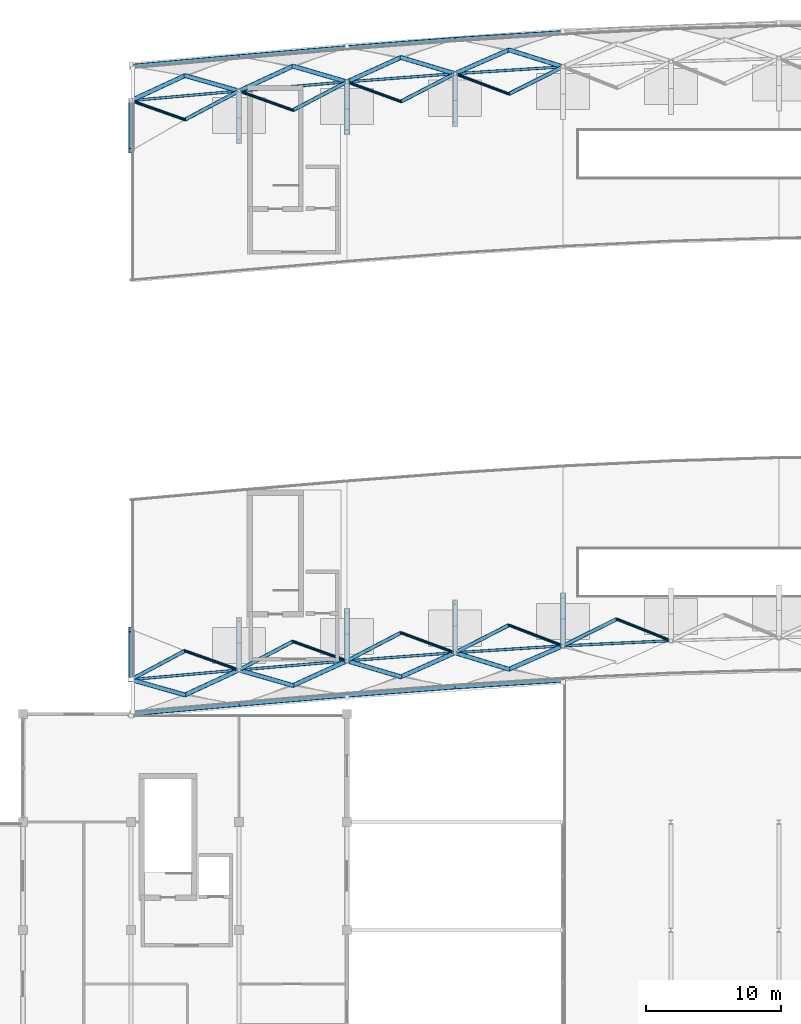
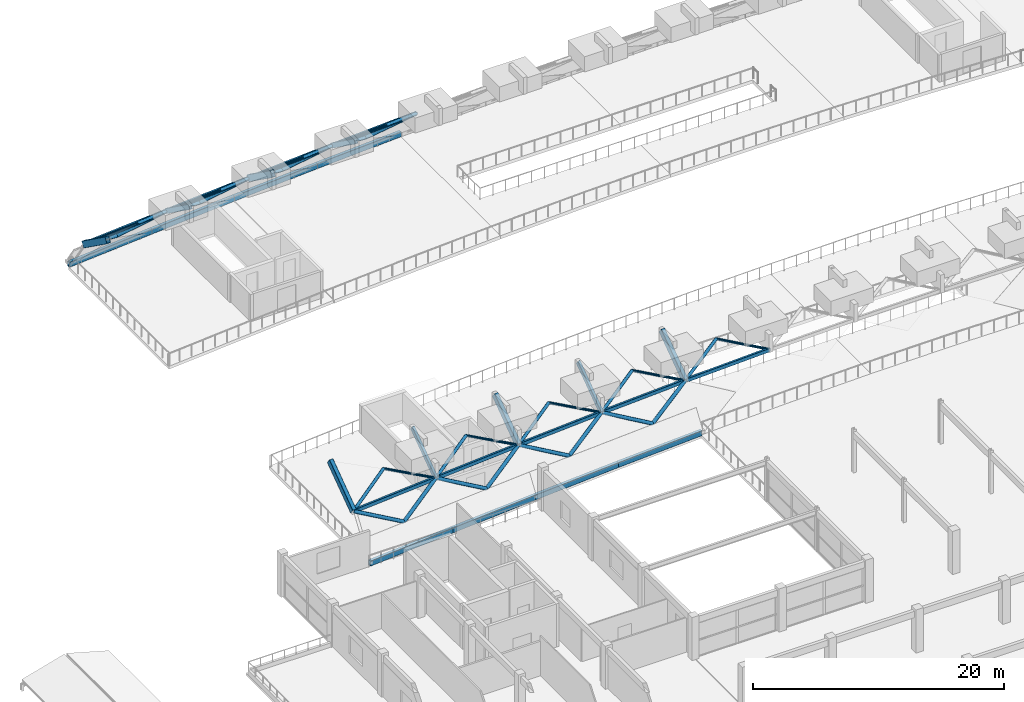
# One storey, part 17 of 67: 34 members, 26 beams.
"""IFC4 building model written with IfcOpenShell, lengths in metres."""

from ifc_helpers import new_model, si_unit, direction, frame, origin, origin_2d, place, context, subcontext, project, spatial, hollow_rectangle, hollow_circle, extrude, material, material_profile, profile_set, type_object, element, save


model = new_model("IFC4")

# Units and contexts
model_context = context("Model", 3, precision=1e-05, world=origin(), true_north=direction((0.0, 1.0)))
body_context = subcontext(model_context, "Body", "Model", "MODEL_VIEW")
ifc_project = project(units=[si_unit("LENGTHUNIT", "METRE"), si_unit("AREAUNIT", "SQUARE_METRE"), si_unit("VOLUMEUNIT", "CUBIC_METRE"), si_unit("PLANEANGLEUNIT", "RADIAN"), si_unit("MASSUNIT", "GRAM", prefix="KILO")], contexts=[model_context])

# Site, building, storey
site_placement = place(None, origin())
site = spatial("IfcSite", under=ifc_project, at=site_placement, CompositionType="ELEMENT")
building_placement = place(site_placement, origin())
building = spatial("IfcBuilding", under=site, at=building_placement, Name="Kenh Van Central Station", CompositionType="ELEMENT")
storey_placement = place(building_placement, frame((0.0, 0.0, 10.800048828125)))
storey = spatial("IfcBuildingStorey", under=building, at=storey_placement, Name="L02", CompositionType="ELEMENT", Elevation=10.800048828125)

# Beams
ifc_material = material(Name="White fluoropolymer structural steel S355", Category="steel")
ifc_material_profile_1 = material_profile(ifc_material, hollow_rectangle(XDim=0.35009765625, YDim=0.60009765625, WallThickness=0.01611328125, InnerFilletRadius=0.01611328125, OuterFilletRadius=0.031982421875, at=origin_2d()), Name="RHS 600x350x16")
ifc_profile_set_1 = profile_set([ifc_material_profile_1], Name="White fluoropolymer structural steel S355")
beam_type_1 = type_object("IfcBeamType", Name="BM-VAULT-ARCH600", PredefinedType="BEAM", material=ifc_profile_set_1)
for number, where, z_axis, x_axis, name in (
    (1, (32.0, 66.552490234375, 3.76171875), (0.0, 0.812520116944, 0.58293315188), (-1.0, 0.0, 0.0), "Vault transverse arch 002"),
    (2, (32.0, 105.73046875, 6.428466796875), (0.0, 0.812520116944, -0.58293315188), (-1.0, 0.0, 0.0), "Vault transverse arch 011"),
):
    element("IfcBeam", number, at=place(storey_placement, frame(where, z_axis=z_axis, x_axis=x_axis)), inside=storey, type_object=beam_type_1, Name=name, PredefinedType="BEAM", context=body_context, shape_type="SweptSolid", body=[
        extrude(hollow_rectangle(XDim=0.35009765625, YDim=0.60009765625, WallThickness=0.01611328125, InnerFilletRadius=0.01611328125, OuterFilletRadius=0.031982421875, at=origin_2d()), origin(), (0.0, 0.0, 1.0), 4.57470703125),
    ])
beam_1_placement = place(storey_placement, frame((48.0, 67.940673828125, 3.76171875), z_axis=(0.0, 0.81253825063, 0.582907875452), x_axis=(-1.0, 0.0, 0.0)))
element("IfcBeam", 3, at=beam_1_placement, inside=storey, type_object=beam_type_1, Name="Vault transverse arch 026", PredefinedType="BEAM", context=body_context, shape_type="SweptSolid", body=[
    extrude(hollow_rectangle(XDim=0.35009765625, YDim=0.60009765625, WallThickness=0.01611328125, InnerFilletRadius=0.01611328125, OuterFilletRadius=0.031982421875, at=origin_2d()), origin(), (0.0, 0.0, 1.0), 4.574951171875),
])
for number, where, z_axis, x_axis, name in (
    (4, (48.0, 107.118896484375, 6.428466796875), (0.0, 0.812520116944, -0.58293315188), (-1.0, 0.0, 0.0), "Vault transverse arch 035"),
    (5, (64.0, 69.05419921875, 3.76171875), (0.0, 0.812520116944, 0.58293315188), (-1.0, 0.0, 0.0), "Vault transverse arch 050"),
):
    element("IfcBeam", number, at=place(storey_placement, frame(where, z_axis=z_axis, x_axis=x_axis)), inside=storey, type_object=beam_type_1, Name=name, PredefinedType="BEAM", context=body_context, shape_type="SweptSolid", body=[
        extrude(hollow_rectangle(XDim=0.35009765625, YDim=0.60009765625, WallThickness=0.01611328125, InnerFilletRadius=0.01611328125, OuterFilletRadius=0.031982421875, at=origin_2d()), origin(), (0.0, 0.0, 1.0), 4.57470703125),
    ])
ifc_material_profile_2 = material_profile(ifc_material, hollow_rectangle(XDim=0.199951171875, YDim=0.35009765625, WallThickness=0.010009765625, InnerFilletRadius=0.010009765625, OuterFilletRadius=0.02001953125, at=origin_2d()), Name="RHS 350x200x10")
ifc_profile_set_2 = profile_set([ifc_material_profile_2], Name="White fluoropolymer structural steel S355")
beam_type_2 = type_object("IfcBeamType", Name="BM-VAULT-EAVE350", PredefinedType="BEAM", material=ifc_profile_set_2)
beam_2_placement = place(storey_placement, frame((32.0, 66.552490234375, 3.76171875), z_axis=(0.996063818854, 0.088638979974, 0.0), x_axis=(-0.088638979974, 0.996063818854, 0.0)))
element("IfcBeam", 6, at=beam_2_placement, inside=storey, type_object=beam_type_2, Name="Vault portal header beam 25", PredefinedType="BEAM", context=body_context, shape_type="SweptSolid", body=[
    extrude(hollow_rectangle(XDim=0.199951171875, YDim=0.35009765625, WallThickness=0.010009765625, InnerFilletRadius=0.010009765625, OuterFilletRadius=0.02001953125, at=origin_2d()), origin(), (0.0, 0.0, 1.0), 8.031494140625),
])
beam_3_placement = place(storey_placement, frame((40.0, 67.264404296875, 3.76171875), z_axis=(0.996446063383, 0.084233264025, 0.0), x_axis=(-0.084233264025, 0.996446063383, 0.0)))
element("IfcBeam", 7, at=beam_3_placement, inside=storey, type_object=beam_type_2, Name="Vault portal header beam 26", PredefinedType="BEAM", context=body_context, shape_type="SweptSolid", body=[
    extrude(hollow_rectangle(XDim=0.199951171875, YDim=0.35009765625, WallThickness=0.010009765625, InnerFilletRadius=0.010009765625, OuterFilletRadius=0.02001953125, at=origin_2d()), origin(), (0.0, 0.0, 1.0), 8.028564453125),
])
beam_4_placement = place(storey_placement, frame((48.0, 67.940673828125, 3.76171875), z_axis=(0.997134485958, 0.075649302127, 0.0), x_axis=(-0.075649302127, 0.997134485958, 0.0)))
element("IfcBeam", 8, at=beam_4_placement, inside=storey, type_object=beam_type_2, Name="Vault portal header beam 27", PredefinedType="BEAM", context=body_context, shape_type="SweptSolid", body=[
    extrude(hollow_rectangle(XDim=0.199951171875, YDim=0.35009765625, WallThickness=0.010009765625, InnerFilletRadius=0.010009765625, OuterFilletRadius=0.02001953125, at=origin_2d()), origin(), (0.0, 0.0, 1.0), 8.02294921875),
])
beam_5_placement = place(storey_placement, frame((56.0, 68.547607421875, 3.76171875), z_axis=(0.998001046855, 0.063197392951, 0.0), x_axis=(-0.063197392951, 0.998001046855, 0.0)))
element("IfcBeam", 9, at=beam_5_placement, inside=storey, type_object=beam_type_2, Name="Vault portal header beam 28", PredefinedType="BEAM", context=body_context, shape_type="SweptSolid", body=[
    extrude(hollow_rectangle(XDim=0.199951171875, YDim=0.35009765625, WallThickness=0.010009765625, InnerFilletRadius=0.010009765625, OuterFilletRadius=0.02001953125, at=origin_2d()), origin(), (0.0, 0.0, 1.0), 8.01611328125),
])
beam_6_placement = place(storey_placement, frame((64.0, 69.05419921875, 3.76171875), z_axis=(0.998865791667, 0.04761439107, 0.0), x_axis=(-0.04761439107, 0.998865791667, 0.0)))
element("IfcBeam", 10, at=beam_6_placement, inside=storey, type_object=beam_type_2, Name="Vault portal header beam 29", PredefinedType="BEAM", context=body_context, shape_type="SweptSolid", body=[
    extrude(hollow_rectangle(XDim=0.199951171875, YDim=0.35009765625, WallThickness=0.010009765625, InnerFilletRadius=0.010009765625, OuterFilletRadius=0.02001953125, at=origin_2d()), origin(), (0.0, 0.0, 1.0), 8.009033203125),
])
beam_7_placement = place(storey_placement, frame((32.0, 109.447509765625, 3.76171875), z_axis=(0.99606113461, 0.088669138478, 0.0), x_axis=(-0.088669138478, 0.99606113461, 0.0)))
element("IfcBeam", 11, at=beam_7_placement, inside=storey, type_object=beam_type_2, Name="Vault portal header beam 39", PredefinedType="BEAM", context=body_context, shape_type="SweptSolid", body=[
    extrude(hollow_rectangle(XDim=0.199951171875, YDim=0.35009765625, WallThickness=0.010009765625, InnerFilletRadius=0.010009765625, OuterFilletRadius=0.02001953125, at=origin_2d()), origin(), (0.0, 0.0, 1.0), 8.03173828125),
])
beam_8_placement = place(storey_placement, frame((40.0, 110.15966796875, 3.76171875), z_axis=(0.996446063383, 0.084233264025, 0.0), x_axis=(-0.084233264025, 0.996446063383, 0.0)))
element("IfcBeam", 12, at=beam_8_placement, inside=storey, type_object=beam_type_2, Name="Vault portal header beam 40", PredefinedType="BEAM", context=body_context, shape_type="SweptSolid", body=[
    extrude(hollow_rectangle(XDim=0.199951171875, YDim=0.35009765625, WallThickness=0.010009765625, InnerFilletRadius=0.010009765625, OuterFilletRadius=0.02001953125, at=origin_2d()), origin(), (0.0, 0.0, 1.0), 8.028564453125),
])
beam_9_placement = place(storey_placement, frame((48.0, 110.8359375, 3.76171875), z_axis=(0.997134485958, 0.075649302127, 0.0), x_axis=(-0.075649302127, 0.997134485958, 0.0)))
element("IfcBeam", 13, at=beam_9_placement, inside=storey, type_object=beam_type_2, Name="Vault portal header beam 41", PredefinedType="BEAM", context=body_context, shape_type="SweptSolid", body=[
    extrude(hollow_rectangle(XDim=0.199951171875, YDim=0.35009765625, WallThickness=0.010009765625, InnerFilletRadius=0.010009765625, OuterFilletRadius=0.02001953125, at=origin_2d()), origin(), (0.0, 0.0, 1.0), 8.02294921875),
])
beam_10_placement = place(storey_placement, frame((56.0, 111.44287109375, 3.76171875), z_axis=(0.998001046855, 0.063197392951, 0.0), x_axis=(-0.063197392951, 0.998001046855, 0.0)))
element("IfcBeam", 14, at=beam_10_placement, inside=storey, type_object=beam_type_2, Name="Vault portal header beam 42", PredefinedType="BEAM", context=body_context, shape_type="SweptSolid", body=[
    extrude(hollow_rectangle(XDim=0.199951171875, YDim=0.35009765625, WallThickness=0.010009765625, InnerFilletRadius=0.010009765625, OuterFilletRadius=0.02001953125, at=origin_2d()), origin(), (0.0, 0.0, 1.0), 8.01611328125),
])
ifc_material_profile_3 = material_profile(ifc_material, hollow_rectangle(XDim=0.300048828125, YDim=0.5, WallThickness=0.01611328125, InnerFilletRadius=0.01611328125, OuterFilletRadius=0.031982421875, at=origin_2d()), Name="RHS 500x300x16")
ifc_profile_set_3 = profile_set([ifc_material_profile_3], Name="White fluoropolymer structural steel S355")
beam_type_3 = type_object("IfcBeamType", Name="BM-VAULT-RING500", PredefinedType="BEAM", material=ifc_profile_set_3)
beam_11_placement = place(storey_placement, frame((32.0, 64.0, 0.260009765625), z_axis=(0.99606113461, 0.088669138478, 0.0), x_axis=(-0.088669138478, 0.99606113461, 0.0)))
element("IfcBeam", 15, at=beam_11_placement, inside=storey, type_object=beam_type_3, Name="Vault springing girder 01", PredefinedType="BEAM", context=body_context, shape_type="SweptSolid", body=[
    extrude(hollow_rectangle(XDim=0.300048828125, YDim=0.5, WallThickness=0.01611328125, InnerFilletRadius=0.01611328125, OuterFilletRadius=0.031982421875, at=origin_2d()), origin(), (0.0, 0.0, 1.0), 8.03173828125),
])
beam_12_placement = place(storey_placement, frame((40.0, 64.712158203125, 0.260009765625), z_axis=(0.996446063383, 0.084233264025, 0.0), x_axis=(-0.084233264025, 0.996446063383, 0.0)))
element("IfcBeam", 16, at=beam_12_placement, inside=storey, type_object=beam_type_3, Name="Vault springing girder 02", PredefinedType="BEAM", context=body_context, shape_type="SweptSolid", body=[
    extrude(hollow_rectangle(XDim=0.300048828125, YDim=0.5, WallThickness=0.01611328125, InnerFilletRadius=0.01611328125, OuterFilletRadius=0.031982421875, at=origin_2d()), origin(), (0.0, 0.0, 1.0), 8.028564453125),
])
beam_13_placement = place(storey_placement, frame((48.0, 65.388427734375, 0.260009765625), z_axis=(0.997136780926, 0.075619046039, 0.0), x_axis=(-0.075619046039, 0.997136780926, 0.0)))
element("IfcBeam", 17, at=beam_13_placement, inside=storey, type_object=beam_type_3, Name="Vault springing girder 03", PredefinedType="BEAM", context=body_context, shape_type="SweptSolid", body=[
    extrude(hollow_rectangle(XDim=0.300048828125, YDim=0.5, WallThickness=0.01611328125, InnerFilletRadius=0.01611328125, OuterFilletRadius=0.031982421875, at=origin_2d()), origin(), (0.0, 0.0, 1.0), 8.02294921875),
])
beam_14_placement = place(storey_placement, frame((56.0, 65.9951171875, 0.260009765625), z_axis=(0.997999125469, 0.063227727798, 0.0), x_axis=(-0.063227727798, 0.997999125469, 0.0)))
element("IfcBeam", 18, at=beam_14_placement, inside=storey, type_object=beam_type_3, Name="Vault springing girder 04", PredefinedType="BEAM", context=body_context, shape_type="SweptSolid", body=[
    extrude(hollow_rectangle(XDim=0.300048828125, YDim=0.5, WallThickness=0.01611328125, InnerFilletRadius=0.01611328125, OuterFilletRadius=0.031982421875, at=origin_2d()), origin(), (0.0, 0.0, 1.0), 8.01611328125),
])
beam_15_placement = place(storey_placement, frame((32.0, 112.0, 0.260009765625), z_axis=(0.99606113461, 0.088669138478, 0.0), x_axis=(-0.088669138478, 0.99606113461, 0.0)))
element("IfcBeam", 19, at=beam_15_placement, inside=storey, type_object=beam_type_3, Name="Vault springing girder 11", PredefinedType="BEAM", context=body_context, shape_type="SweptSolid", body=[
    extrude(hollow_rectangle(XDim=0.300048828125, YDim=0.5, WallThickness=0.01611328125, InnerFilletRadius=0.01611328125, OuterFilletRadius=0.031982421875, at=origin_2d()), origin(), (0.0, 0.0, 1.0), 8.03173828125),
])
beam_16_placement = place(storey_placement, frame((40.0, 112.712158203125, 0.260009765625), z_axis=(0.996446063383, 0.084233264025, 0.0), x_axis=(-0.084233264025, 0.996446063383, 0.0)))
element("IfcBeam", 20, at=beam_16_placement, inside=storey, type_object=beam_type_3, Name="Vault springing girder 12", PredefinedType="BEAM", context=body_context, shape_type="SweptSolid", body=[
    extrude(hollow_rectangle(XDim=0.300048828125, YDim=0.5, WallThickness=0.01611328125, InnerFilletRadius=0.01611328125, OuterFilletRadius=0.031982421875, at=origin_2d()), origin(), (0.0, 0.0, 1.0), 8.028564453125),
])
beam_17_placement = place(storey_placement, frame((48.0, 113.388427734375, 0.260009765625), z_axis=(0.997136780926, 0.075619046039, 0.0), x_axis=(-0.075619046039, 0.997136780926, 0.0)))
element("IfcBeam", 21, at=beam_17_placement, inside=storey, type_object=beam_type_3, Name="Vault springing girder 13", PredefinedType="BEAM", context=body_context, shape_type="SweptSolid", body=[
    extrude(hollow_rectangle(XDim=0.300048828125, YDim=0.5, WallThickness=0.01611328125, InnerFilletRadius=0.01611328125, OuterFilletRadius=0.031982421875, at=origin_2d()), origin(), (0.0, 0.0, 1.0), 8.02294921875),
])
beam_18_placement = place(storey_placement, frame((56.0, 113.9951171875, 0.260009765625), z_axis=(0.997999125469, 0.063227727798, 0.0), x_axis=(-0.063227727798, 0.997999125469, 0.0)))
element("IfcBeam", 22, at=beam_18_placement, inside=storey, type_object=beam_type_3, Name="Vault springing girder 14", PredefinedType="BEAM", context=body_context, shape_type="SweptSolid", body=[
    extrude(hollow_rectangle(XDim=0.300048828125, YDim=0.5, WallThickness=0.01611328125, InnerFilletRadius=0.01611328125, OuterFilletRadius=0.031982421875, at=origin_2d()), origin(), (0.0, 0.0, 1.0), 8.01611328125),
])
ifc_material_profile_4 = material_profile(ifc_material, hollow_rectangle(XDim=0.25, YDim=0.449951171875, WallThickness=0.012451171875, InnerFilletRadius=0.012451171875, OuterFilletRadius=0.02490234375, at=origin_2d()), Name="RHS 450x250x12.5")
ifc_profile_set_4 = profile_set([ifc_material_profile_4], Name="White fluoropolymer structural steel S355")
beam_type_4 = type_object("IfcBeamType", Name="BM-VAULT-SUB450", PredefinedType="BEAM", material=ifc_profile_set_4)
for number, where, z_axis, x_axis, name in (
    (23, (40.0, 67.264404296875, 3.76171875), (0.0, 0.812520116944, 0.58293315188), (-1.0, 0.0, 0.0), "Vault transverse arch 014"),
    (24, (40.0, 106.442626953125, 6.428466796875), (0.0, 0.812520116944, -0.58293315188), (-1.0, 0.0, 0.0), "Vault transverse arch 023"),
    (25, (56.0, 68.547607421875, 3.76171875), (0.0, 0.812520116944, 0.58293315188), (-1.0, 0.0, 0.0), "Vault transverse arch 038"),
    (26, (56.0, 107.725830078125, 6.428466796875), (0.0, 0.812520116944, -0.58293315188), (-1.0, 0.0, 0.0), "Vault transverse arch 047"),
):
    element("IfcBeam", number, at=place(storey_placement, frame(where, z_axis=z_axis, x_axis=x_axis)), inside=storey, type_object=beam_type_4, Name=name, PredefinedType="BEAM", context=body_context, shape_type="SweptSolid", body=[
        extrude(hollow_rectangle(XDim=0.25, YDim=0.449951171875, WallThickness=0.012451171875, InnerFilletRadius=0.012451171875, OuterFilletRadius=0.02490234375, at=origin_2d()), origin(), (0.0, 0.0, 1.0), 4.57470703125),
    ])

# Members
ifc_material_profile_5 = material_profile(ifc_material, hollow_circle(Radius=0.109619140625, WallThickness=0.008056640625, at=origin_2d()), Name="CHS 219.1x8")
ifc_profile_set_5 = profile_set([ifc_material_profile_5], Name="White fluoropolymer structural steel S355")
member_type_1 = type_object("IfcMemberType", Name="MEM-VAULT-BRC219", PredefinedType="BRACE", material=ifc_profile_set_5)
member_1_placement = place(storey_placement, frame((32.0, 109.447509765625, 3.76171875), z_axis=(0.891950930872, -0.315155269703, 0.324192370199), x_axis=(0.333148212521, 0.942874471228, 0.0)))
element("IfcMember", 27, at=member_1_placement, inside=storey, type_object=member_type_1, Name="Vault diamond grid member 0023", PredefinedType="BRACE", context=body_context, shape_type="SweptSolid", body=[
    extrude(hollow_circle(Radius=0.109619140625, WallThickness=0.008056640625, at=origin_2d()), origin(), (0.0, 0.0, 1.0), 4.484619140625),
])
member_2_placement = place(storey_placement, frame((36.0, 68.682373046875, 5.215576171875), z_axis=(0.8916598326, -0.316086444564, -0.324086566353), x_axis=(0.33411974609, 0.942530633599, 0.0)))
element("IfcMember", 28, at=member_2_placement, inside=storey, type_object=member_type_1, Name="Vault diamond grid member 0028", PredefinedType="BRACE", context=body_context, shape_type="SweptSolid", body=[
    extrude(hollow_circle(Radius=0.109619140625, WallThickness=0.008056640625, at=origin_2d()), origin(), (0.0, 0.0, 1.0), 4.486083984375),
])
member_3_placement = place(storey_placement, frame((40.0, 110.15966796875, 3.76171875), z_axis=(0.891091043197, -0.317897164764, 0.32387983168), x_axis=(0.336008625511, 0.941858908533, 0.0)))
element("IfcMember", 29, at=member_3_placement, inside=storey, type_object=member_type_1, Name="Vault diamond grid member 0071", PredefinedType="BRACE", context=body_context, shape_type="SweptSolid", body=[
    extrude(hollow_circle(Radius=0.109619140625, WallThickness=0.008056640625, at=origin_2d()), origin(), (0.0, 0.0, 1.0), 4.48876953125),
])
member_4_placement = place(storey_placement, frame((44.0, 69.381103515625, 5.215576171875), z_axis=(0.890240903646, -0.320582356659, -0.323570836255), x_axis=(0.338808939501, 0.940855197421, 0.0)))
element("IfcMember", 30, at=member_4_placement, inside=storey, type_object=member_type_1, Name="Vault diamond grid member 0076", PredefinedType="BRACE", context=body_context, shape_type="SweptSolid", body=[
    extrude(hollow_circle(Radius=0.109619140625, WallThickness=0.008056640625, at=origin_2d()), origin(), (0.0, 0.0, 1.0), 4.4931640625),
])
member_5_placement = place(storey_placement, frame((48.0, 110.8359375, 3.76171875), z_axis=(0.88915096168, -0.32398872322, 0.323174681202), x_axis=(0.342359990042, 0.939568857093, 0.0)))
element("IfcMember", 31, at=member_5_placement, inside=storey, type_object=member_type_1, Name="Vault diamond grid member 0119", PredefinedType="BRACE", context=body_context, shape_type="SweptSolid", body=[
    extrude(hollow_circle(Radius=0.109619140625, WallThickness=0.008056640625, at=origin_2d()), origin(), (0.0, 0.0, 1.0), 4.498779296875),
])
member_6_placement = place(storey_placement, frame((52.0, 70.026611328125, 5.215576171875), z_axis=(0.887768290906, -0.328253192524, -0.32267212966), x_axis=(0.346803430152, 0.937937834206, 0.0)))
element("IfcMember", 32, at=member_6_placement, inside=storey, type_object=member_type_1, Name="Vault diamond grid member 0124", PredefinedType="BRACE", context=body_context, shape_type="SweptSolid", body=[
    extrude(hollow_circle(Radius=0.109619140625, WallThickness=0.008056640625, at=origin_2d()), origin(), (0.0, 0.0, 1.0), 4.505615234375),
])
member_7_placement = place(storey_placement, frame((56.0, 111.44287109375, 3.76171875), z_axis=(0.886116632399, -0.333267253958, 0.322071810665), x_axis=(0.352024810941, 0.935990669014, 0.0)))
element("IfcMember", 33, at=member_7_placement, inside=storey, type_object=member_type_1, Name="Vault diamond grid member 0167", PredefinedType="BRACE", context=body_context, shape_type="SweptSolid", body=[
    extrude(hollow_circle(Radius=0.109619140625, WallThickness=0.008056640625, at=origin_2d()), origin(), (0.0, 0.0, 1.0), 4.51416015625),
])
member_8_placement = place(storey_placement, frame((60.0, 70.5869140625, 5.215576171875), z_axis=(0.884252361889, -0.338826680172, -0.321394214786), x_axis=(0.357810121269, 0.933794365542, 0.0)))
element("IfcMember", 34, at=member_8_placement, inside=storey, type_object=member_type_1, Name="Vault diamond grid member 0172", PredefinedType="BRACE", context=body_context, shape_type="SweptSolid", body=[
    extrude(hollow_circle(Radius=0.109619140625, WallThickness=0.008056640625, at=origin_2d()), origin(), (0.0, 0.0, 1.0), 4.523681640625),
])
member_9_placement = place(storey_placement, frame((68.0, 71.03369140625, 5.215576171875), z_axis=(0.879859260372, -0.351535566308, -0.319797478974), x_axis=(0.37101930291, 0.928625154122, 0.0)))
element("IfcMember", 35, at=member_9_placement, inside=storey, type_object=member_type_1, Name="Vault diamond grid member 0216", PredefinedType="BRACE", context=body_context, shape_type="SweptSolid", body=[
    extrude(hollow_circle(Radius=0.109619140625, WallThickness=0.008056640625, at=origin_2d()), origin(), (0.0, 0.0, 1.0), 4.546142578125),
])
ifc_material_profile_6 = material_profile(ifc_material, hollow_circle(Radius=0.136474609375, WallThickness=0.010009765625, at=origin_2d()), Name="CHS 273x10")
ifc_profile_set_6 = profile_set([ifc_material_profile_6], Name="White fluoropolymer structural steel S355")
member_type_2 = type_object("IfcMemberType", Name="MEM-VAULT-CHD273", PredefinedType="CHORD", material=ifc_profile_set_6)
member_10_placement = place(storey_placement, frame((32.0, 66.552490234375, 3.76171875), z_axis=(0.840475210041, 0.447528426049, 0.305482780505), x_axis=(-0.469995330498, 0.882668901293, 0.0)))
element("IfcMember", 36, at=member_10_placement, inside=storey, type_object=member_type_2, Name="Vault diamond grid member 0002", PredefinedType="CHORD", context=body_context, shape_type="SweptSolid", body=[
    extrude(hollow_circle(Radius=0.136474609375, WallThickness=0.010009765625, at=origin_2d()), origin(), (0.0, 0.0, 1.0), 4.75927734375),
])
member_11_placement = place(storey_placement, frame((36.0, 108.0341796875, 5.215576171875), z_axis=(0.840822381301, 0.446789529517, -0.305608964883), x_axis=(-0.469239293814, 0.88307105328, 0.0)))
element("IfcMember", 37, at=member_11_placement, inside=storey, type_object=member_type_2, Name="Vault diamond grid member 0045", PredefinedType="CHORD", context=body_context, shape_type="SweptSolid", body=[
    extrude(hollow_circle(Radius=0.136474609375, WallThickness=0.010009765625, at=origin_2d()), origin(), (0.0, 0.0, 1.0), 4.75732421875),
])
member_12_placement = place(storey_placement, frame((40.0, 67.264404296875, 3.76171875), z_axis=(0.841515858601, 0.445308990117, 0.305861019163), x_axis=(-0.467724120501, 0.883874508684, 0.0)))
element("IfcMember", 38, at=member_12_placement, inside=storey, type_object=member_type_2, Name="Vault diamond grid member 0050", PredefinedType="CHORD", context=body_context, shape_type="SweptSolid", body=[
    extrude(hollow_circle(Radius=0.136474609375, WallThickness=0.010009765625, at=origin_2d()), origin(), (0.0, 0.0, 1.0), 4.75341796875),
])
member_13_placement = place(storey_placement, frame((44.0, 108.732666015625, 5.215576171875), z_axis=(0.842573082427, 0.443039984442, -0.30624528234), x_axis=(-0.465401288106, 0.885099791565, 0.0)))
element("IfcMember", 39, at=member_13_placement, inside=storey, type_object=member_type_2, Name="Vault diamond grid member 0093", PredefinedType="CHORD", context=body_context, shape_type="SweptSolid", body=[
    extrude(hollow_circle(Radius=0.136474609375, WallThickness=0.010009765625, at=origin_2d()), origin(), (0.0, 0.0, 1.0), 4.747314453125),
])
member_14_placement = place(storey_placement, frame((48.0, 67.940673828125, 3.76171875), z_axis=(0.843933756835, 0.440098267724, 0.306739838986), x_axis=(-0.462388443715, 0.886677465101, 0.0)))
element("IfcMember", 40, at=member_14_placement, inside=storey, type_object=member_type_2, Name="Vault diamond grid member 0098", PredefinedType="CHORD", context=body_context, shape_type="SweptSolid", body=[
    extrude(hollow_circle(Radius=0.136474609375, WallThickness=0.010009765625, at=origin_2d()), origin(), (0.0, 0.0, 1.0), 4.73974609375),
])
member_15_placement = place(storey_placement, frame((52.0, 109.37841796875, 5.215576171875), z_axis=(0.845613651384, 0.436432436286, -0.307350420776), x_axis=(-0.458631867239, 0.8886263615, 0.0)))
element("IfcMember", 41, at=member_15_placement, inside=storey, type_object=member_type_2, Name="Vault diamond grid member 0141", PredefinedType="CHORD", context=body_context, shape_type="SweptSolid", body=[
    extrude(hollow_circle(Radius=0.136474609375, WallThickness=0.010009765625, at=origin_2d()), origin(), (0.0, 0.0, 1.0), 4.730224609375),
])
member_16_placement = place(storey_placement, frame((56.0, 68.547607421875, 3.76171875), z_axis=(0.847570379892, 0.432113976028, 0.308061621842), x_axis=(-0.45420352623, 0.890897949689, 0.0)))
element("IfcMember", 42, at=member_16_placement, inside=storey, type_object=member_type_2, Name="Vault diamond grid member 0146", PredefinedType="CHORD", context=body_context, shape_type="SweptSolid", body=[
    extrude(hollow_circle(Radius=0.136474609375, WallThickness=0.010009765625, at=origin_2d()), origin(), (0.0, 0.0, 1.0), 4.719482421875),
])
member_17_placement = place(storey_placement, frame((60.0, 109.9384765625, 5.215576171875), z_axis=(0.84976138446, 0.427214631579, -0.308857973905), x_axis=(-0.449175650929, 0.893443470295, 0.0)))
element("IfcMember", 43, at=member_17_placement, inside=storey, type_object=member_type_2, Name="Vault diamond grid member 0189", PredefinedType="CHORD", context=body_context, shape_type="SweptSolid", body=[
    extrude(hollow_circle(Radius=0.136474609375, WallThickness=0.010009765625, at=origin_2d()), origin(), (0.0, 0.0, 1.0), 4.707275390625),
])
member_18_placement = place(storey_placement, frame((64.0, 69.05419921875, 3.76171875), z_axis=(0.852181566384, 0.421721688247, 0.309737623768), x_axis=(-0.443533761546, 0.896257665166, 0.0)))
element("IfcMember", 44, at=member_18_placement, inside=storey, type_object=member_type_2, Name="Vault diamond grid member 0193", PredefinedType="CHORD", context=body_context, shape_type="SweptSolid", body=[
    extrude(hollow_circle(Radius=0.136474609375, WallThickness=0.010009765625, at=origin_2d()), origin(), (0.0, 0.0, 1.0), 4.69384765625),
])
ifc_material_profile_7 = material_profile(ifc_material, hollow_circle(Radius=0.161865234375, WallThickness=0.010009765625, at=origin_2d()), Name="CHS 323.9x10")
ifc_profile_set_7 = profile_set([ifc_material_profile_7], Name="White fluoropolymer structural steel S355")
member_type_3 = type_object("IfcMemberType", Name="MEM-VAULT-CHD324", PredefinedType="CHORD", material=ifc_profile_set_7)
member_19_placement = place(storey_placement, frame((32.0, 66.552490234375, 3.76171875), z_axis=(0.887784832266, -0.252723904888, -0.384667024186), x_axis=(0.273790612729, 0.961789322244, 0.0)))
element("IfcMember", 45, at=member_19_placement, inside=storey, type_object=member_type_3, Name="Vault diamond grid member 0003", PredefinedType="CHORD", context=body_context, shape_type="SweptSolid", body=[
    extrude(hollow_circle(Radius=0.161865234375, WallThickness=0.010009765625, at=origin_2d()), origin(), (0.0, 0.0, 1.0), 4.505615234375),
])
member_20_placement = place(storey_placement, frame((32.0, 109.447509765625, 3.76171875), z_axis=(0.844293774243, 0.391588646879, -0.365822845664), x_axis=(-0.420753375914, 0.907175063952, 0.0)))
element("IfcMember", 46, at=member_20_placement, inside=storey, type_object=member_type_3, Name="Vault diamond grid member 0022", PredefinedType="CHORD", context=body_context, shape_type="SweptSolid", body=[
    extrude(hollow_circle(Radius=0.161865234375, WallThickness=0.010009765625, at=origin_2d()), origin(), (0.0, 0.0, 1.0), 4.73779296875),
])
member_21_placement = place(storey_placement, frame((36.0, 65.413818359375, 2.028564453125), z_axis=(0.844617261509, 0.39075920668, 0.365963009), x_axis=(-0.419887022272, 0.907576381649, 0.0)))
element("IfcMember", 47, at=member_21_placement, inside=storey, type_object=member_type_3, Name="Vault diamond grid member 0025", PredefinedType="CHORD", context=body_context, shape_type="SweptSolid", body=[
    extrude(hollow_circle(Radius=0.161865234375, WallThickness=0.010009765625, at=origin_2d()), origin(), (0.0, 0.0, 1.0), 4.73583984375),
])
member_22_placement = place(storey_placement, frame((36.0, 111.302734375, 2.028564453125), z_axis=(0.887565657415, -0.253636621583, 0.384572058227), x_axis=(0.274767633426, 0.96151065913, 0.0)))
element("IfcMember", 48, at=member_22_placement, inside=storey, type_object=member_type_3, Name="Vault diamond grid member 0048", PredefinedType="CHORD", context=body_context, shape_type="SweptSolid", body=[
    extrude(hollow_circle(Radius=0.161865234375, WallThickness=0.010009765625, at=origin_2d()), origin(), (0.0, 0.0, 1.0), 4.506591796875),
])
member_23_placement = place(storey_placement, frame((40.0, 67.264404296875, 3.76171875), z_axis=(0.887125266223, -0.255460022341, -0.384381241755), x_axis=(0.276719121682, 0.960950845619, 0.0)))
element("IfcMember", 49, at=member_23_placement, inside=storey, type_object=member_type_3, Name="Vault diamond grid member 0051", PredefinedType="CHORD", context=body_context, shape_type="SweptSolid", body=[
    extrude(hollow_circle(Radius=0.161865234375, WallThickness=0.010009765625, at=origin_2d()), origin(), (0.0, 0.0, 1.0), 4.509033203125),
])
member_24_placement = place(storey_placement, frame((40.0, 110.15966796875, 3.76171875), z_axis=(0.845245948317, 0.389141246836, -0.366235411811), x_axis=(-0.418196614442, 0.908356533344, 0.0)))
element("IfcMember", 50, at=member_24_placement, inside=storey, type_object=member_type_3, Name="Vault diamond grid member 0070", PredefinedType="CHORD", context=body_context, shape_type="SweptSolid", body=[
    extrude(hollow_circle(Radius=0.161865234375, WallThickness=0.010009765625, at=origin_2d()), origin(), (0.0, 0.0, 1.0), 4.732421875),
])
member_25_placement = place(storey_placement, frame((44.0, 66.112548828125, 2.028564453125), z_axis=(0.846177372227, 0.386729502151, 0.366638987148), x_axis=(-0.415675796673, 0.909512854258, 0.0)))
element("IfcMember", 51, at=member_25_placement, inside=storey, type_object=member_type_3, Name="Vault diamond grid member 0073", PredefinedType="CHORD", context=body_context, shape_type="SweptSolid", body=[
    extrude(hollow_circle(Radius=0.161865234375, WallThickness=0.010009765625, at=origin_2d()), origin(), (0.0, 0.0, 1.0), 4.72705078125),
])
member_26_placement = place(storey_placement, frame((44.0, 112.001220703125, 2.028564453125), z_axis=(0.886447216566, -0.25824051298, 0.384087450586), x_axis=(0.279693957338, 0.960089209516, 0.0)))
element("IfcMember", 52, at=member_26_placement, inside=storey, type_object=member_type_3, Name="Vault diamond grid member 0096", PredefinedType="CHORD", context=body_context, shape_type="SweptSolid", body=[
    extrude(hollow_circle(Radius=0.161865234375, WallThickness=0.010009765625, at=origin_2d()), origin(), (0.0, 0.0, 1.0), 4.512451171875),
])
member_27_placement = place(storey_placement, frame((48.0, 67.940673828125, 3.76171875), z_axis=(0.885562638257, -0.261820399153, -0.383704172912), x_axis=(0.283522312005, 0.958965639945, 0.0)))
element("IfcMember", 53, at=member_27_placement, inside=storey, type_object=member_type_3, Name="Vault diamond grid member 0099", PredefinedType="CHORD", context=body_context, shape_type="SweptSolid", body=[
    extrude(hollow_circle(Radius=0.161865234375, WallThickness=0.010009765625, at=origin_2d()), origin(), (0.0, 0.0, 1.0), 4.516845703125),
])
member_28_placement = place(storey_placement, frame((48.0, 110.8359375, 3.76171875), z_axis=(0.847357370048, 0.383648496766, -0.367150266722), x_axis=(-0.412453577027, 0.910978620384, 0.0)))
element("IfcMember", 54, at=member_28_placement, inside=storey, type_object=member_type_3, Name="Vault diamond grid member 0118", PredefinedType="CHORD", context=body_context, shape_type="SweptSolid", body=[
    extrude(hollow_circle(Radius=0.161865234375, WallThickness=0.010009765625, at=origin_2d()), origin(), (0.0, 0.0, 1.0), 4.720458984375),
])
member_29_placement = place(storey_placement, frame((52.0, 66.758056640625, 2.028564453125), z_axis=(0.848831983809, 0.379756984944, 0.367789200016), x_axis=(-0.408380719788, 0.912811693453, 0.0)))
element("IfcMember", 55, at=member_29_placement, inside=storey, type_object=member_type_3, Name="Vault diamond grid member 0121", PredefinedType="CHORD", context=body_context, shape_type="SweptSolid", body=[
    extrude(hollow_circle(Radius=0.161865234375, WallThickness=0.010009765625, at=origin_2d()), origin(), (0.0, 0.0, 1.0), 4.71240234375),
])
member_30_placement = place(storey_placement, frame((52.0, 112.64697265625, 2.028564453125), z_axis=(0.884451893793, -0.266242476818, 0.383222900026), x_axis=(0.288248555334, 0.957555622587, 0.0)))
element("IfcMember", 56, at=member_30_placement, inside=storey, type_object=member_type_3, Name="Vault diamond grid member 0144", PredefinedType="CHORD", context=body_context, shape_type="SweptSolid", body=[
    extrude(hollow_circle(Radius=0.161865234375, WallThickness=0.010009765625, at=origin_2d()), origin(), (0.0, 0.0, 1.0), 4.5224609375),
])
member_31_placement = place(storey_placement, frame((56.0, 68.547607421875, 3.76171875), z_axis=(0.883131871246, -0.271397031965, -0.382650949339), x_axis=(0.293753752715, 0.955881128993, 0.0)))
element("IfcMember", 57, at=member_31_placement, inside=storey, type_object=member_type_3, Name="Vault diamond grid member 0147", PredefinedType="CHORD", context=body_context, shape_type="SweptSolid", body=[
    extrude(hollow_circle(Radius=0.161865234375, WallThickness=0.010009765625, at=origin_2d()), origin(), (0.0, 0.0, 1.0), 4.529296875),
])
member_32_placement = place(storey_placement, frame((56.0, 111.44287109375, 3.76171875), z_axis=(0.850561786989, 0.375131803759, -0.368538703969), x_axis=(-0.40353571199, 0.914963894997, 0.0)))
element("IfcMember", 58, at=member_32_placement, inside=storey, type_object=member_type_3, Name="Vault diamond grid member 0166", PredefinedType="CHORD", context=body_context, shape_type="SweptSolid", body=[
    extrude(hollow_circle(Radius=0.161865234375, WallThickness=0.010009765625, at=origin_2d()), origin(), (0.0, 0.0, 1.0), 4.702880859375),
])
member_33_placement = place(storey_placement, frame((60.0, 67.318359375, 2.028564453125), z_axis=(0.85247426544, 0.369939698931, 0.369367359031), x_axis=(-0.398091340018, 0.917345782681, 0.0)))
element("IfcMember", 59, at=member_33_placement, inside=storey, type_object=member_type_3, Name="Vault diamond grid member 0169", PredefinedType="CHORD", context=body_context, shape_type="SweptSolid", body=[
    extrude(hollow_circle(Radius=0.161865234375, WallThickness=0.010009765625, at=origin_2d()), origin(), (0.0, 0.0, 1.0), 4.692138671875),
])
member_34_placement = place(storey_placement, frame((60.0, 113.20703125, 2.028564453125), z_axis=(0.88161987045, -0.277174313519, 0.38199581667), x_axis=(0.299918951349, 0.953964686255, 0.0)))
element("IfcMember", 60, at=member_34_placement, inside=storey, type_object=member_type_3, Name="Vault diamond grid member 0192", PredefinedType="CHORD", context=body_context, shape_type="SweptSolid", body=[
    extrude(hollow_circle(Radius=0.161865234375, WallThickness=0.010009765625, at=origin_2d()), origin(), (0.0, 0.0, 1.0), 4.537109375),
])

save(model, "model.ifc")
